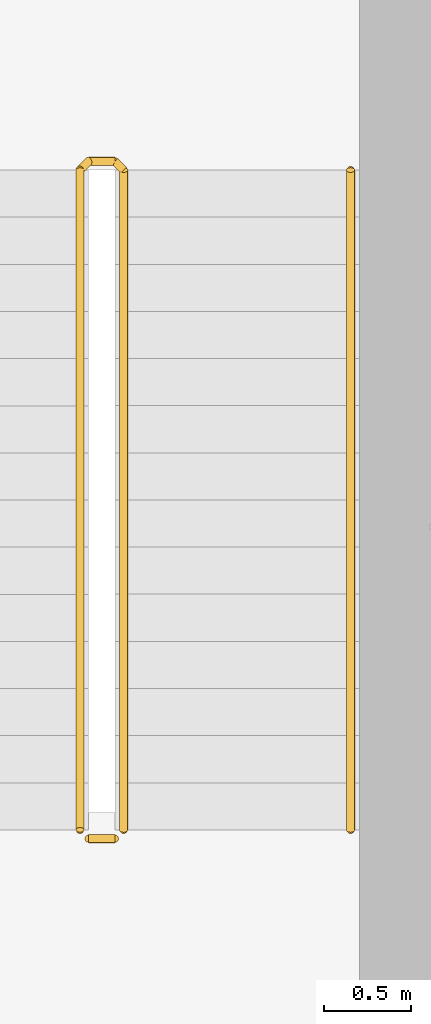
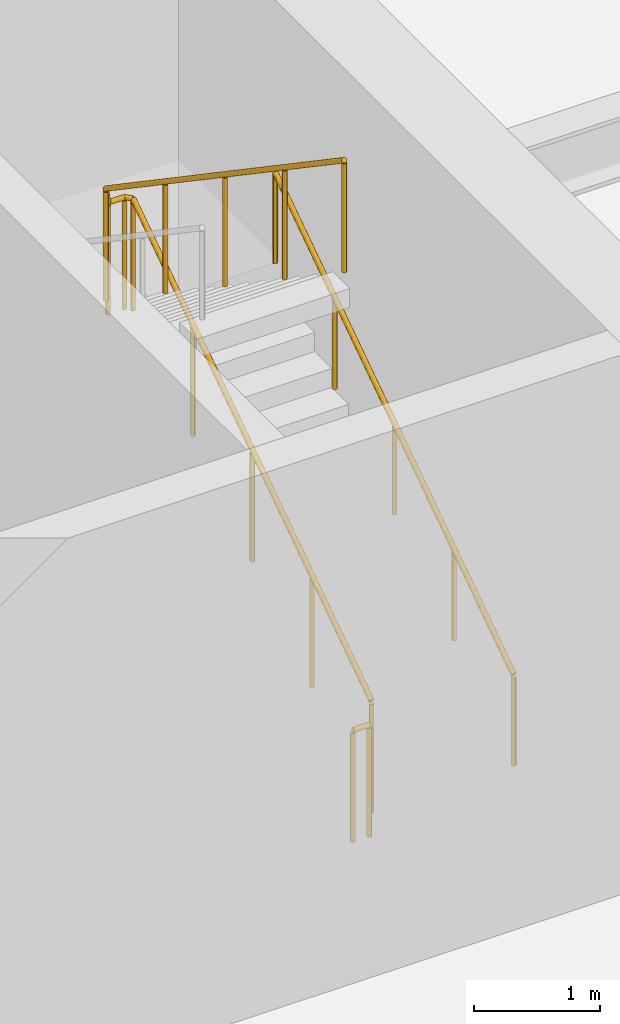
# One storey, part 17 of 20: 3 railings.
"""IFC4 building model written with IfcOpenShell, lengths in metres."""

from ifc_helpers import new_model, si_unit, direction, frame, origin, origin_2d, place, context, subcontext, project, spatial, circle, extrude, material, type_object, element, save


model = new_model("IFC4")

# Units and contexts
model_context = context("Model", 3, precision=1e-05, world=origin(), true_north=direction((0.0, 1.0)))
body_context = subcontext(model_context, "Body", "Model", "MODEL_VIEW")
ifc_project = project(units=[si_unit("LENGTHUNIT", "METRE"), si_unit("AREAUNIT", "SQUARE_METRE"), si_unit("VOLUMEUNIT", "CUBIC_METRE"), si_unit("PLANEANGLEUNIT", "RADIAN"), si_unit("MASSUNIT", "GRAM", prefix="KILO")], contexts=[model_context])

# Site, building, storey
site_placement = place(None, origin())
site = spatial("IfcSite", under=ifc_project, at=site_placement, CompositionType="ELEMENT")
building_placement = place(site_placement, origin())
building = spatial("IfcBuilding", under=site, at=building_placement, Name="Saffron Iwan Residences", CompositionType="ELEMENT")
storey_placement = place(building_placement, frame((0.0, 0.0, 206.0)))
storey = spatial("IfcBuildingStorey", under=building, at=storey_placement, Name="L55", CompositionType="ELEMENT", Elevation=206.0)

# Railings
ifc_material_1 = material(Name="Steel S355", Category="steel")
railing_type_1 = type_object("IfcRailingType", Name="Stair guard 1100", PredefinedType="GUARDRAIL", material=ifc_material_1)
railing_1_placement = place(storey_placement, frame((69.75, 67.85009765625, 0.183349609375)))
element("IfcRailing", 1, at=railing_1_placement, inside=storey, type_object=railing_type_1, Name="L55 ST-E stair guard 1", PredefinedType="GUARDRAIL", context=body_context, shape_type="SweptSolid", body=[
    extrude(circle(Radius=0.02392578125, at=origin_2d()), frame((0.0, 0.0, 1.076171875), z_axis=(0.0, 0.827293068839, 0.56177057439), x_axis=(-1.0, 0.0, 0.0)), (0.0, 0.0, 1.0), 4.56884765625),
    extrude(circle(Radius=0.02392578125, at=origin_2d()), frame((0.0, 3.77978515625, 3.642578125), z_axis=(-0.707106781187, 0.707106781187, 0.0), x_axis=(-0.707106781187, -0.707106781187, 0.0)), (0.0, 0.0, 1.0), 0.07080078125),
    extrude(circle(Radius=0.02392578125, at=origin_2d()), frame((-0.050048828125, 3.829833984375, 3.642578125), z_axis=(-1.0, 0.0, 0.0), x_axis=(0.0, -1.0, 0.0)), (0.0, 0.0, 1.0), 0.14990234375),
    extrude(circle(Radius=0.02392578125, at=origin_2d()), frame((-0.199951171875, 3.829833984375, 3.642578125), z_axis=(-0.254653276557, -0.254653276557, 0.932900539971), x_axis=(0.707106781187, -0.707106781187, 0.0)), (0.0, 0.0, 1.0), 0.196533203125),
    extrude(circle(Radius=0.02392578125, at=origin_2d()), frame((-0.25, 3.77978515625, 3.826171875), z_axis=(0.0, -0.827293068839, 0.56177057439), x_axis=(1.0, 0.0, 0.0)), (0.0, 0.0, 1.0), 4.56884765625),
    extrude(circle(Radius=0.02099609375, at=origin_2d()), origin(), (0.0, 0.0, 1.0), 1.052001953125),
    extrude(circle(Radius=0.02099609375, at=origin_2d()), frame((0.0, 0.94482421875, 0.6416015625)), (0.0, 0.0, 1.0), 1.052001953125),
    extrude(circle(Radius=0.02099609375, at=origin_2d()), frame((0.0, 1.889892578125, 1.283203125)), (0.0, 0.0, 1.0), 1.052001953125),
    extrude(circle(Radius=0.02099609375, at=origin_2d()), frame((0.0, 2.8349609375, 1.925048828125)), (0.0, 0.0, 1.0), 1.052001953125),
    extrude(circle(Radius=0.02099609375, at=origin_2d()), frame((0.0, 3.77978515625, 2.566650390625)), (0.0, 0.0, 1.0), 1.052001953125),
    extrude(circle(Radius=0.02099609375, at=origin_2d()), frame((-0.050048828125, 3.829833984375, 2.566650390625)), (0.0, 0.0, 1.0), 1.052001953125),
    extrude(circle(Radius=0.02099609375, at=origin_2d()), frame((-0.199951171875, 3.829833984375, 2.566650390625)), (0.0, 0.0, 1.0), 1.052001953125),
    extrude(circle(Radius=0.02099609375, at=origin_2d()), frame((-0.25, 3.77978515625, 2.75)), (0.0, 0.0, 1.0), 1.052001953125),
    extrude(circle(Radius=0.02099609375, at=origin_2d()), frame((-0.25, 2.8349609375, 3.3916015625)), (0.0, 0.0, 1.0), 1.052001953125),
    extrude(circle(Radius=0.02099609375, at=origin_2d()), frame((-0.25, 1.889892578125, 4.033203125)), (0.0, 0.0, 1.0), 1.052001953125),
    extrude(circle(Radius=0.02099609375, at=origin_2d()), frame((-0.25, 0.94482421875, 4.675048828125)), (0.0, 0.0, 1.0), 1.052001953125),
    extrude(circle(Radius=0.02099609375, at=origin_2d()), frame((-0.25, 0.0, 5.316650390625)), (0.0, 0.0, 1.0), 1.052001953125),
])
railing_2_placement = place(storey_placement, frame((69.699951171875, 67.800048828125, 0.0)))
element("IfcRailing", 2, at=railing_2_placement, inside=storey, type_object=railing_type_1, Name="L55 ST-E stair guard 2", PredefinedType="GUARDRAIL", context=body_context, shape_type="SweptSolid", body=[
    extrude(circle(Radius=0.02392578125, at=origin_2d()), frame((0.0, 0.0, 1.076171875), z_axis=(-1.0, 0.0, 0.0), x_axis=(0.0, -1.0, 0.0)), (0.0, 0.0, 1.0), 0.14990234375),
    extrude(circle(Radius=0.02099609375, at=origin_2d()), origin(), (0.0, 0.0, 1.0), 1.052001953125),
    extrude(circle(Radius=0.02099609375, at=origin_2d()), frame((-0.14990234375, 0.0, 0.0)), (0.0, 0.0, 1.0), 1.052001953125),
])
ifc_material_2 = material(Name="Stainless steel 316", Category="steel")
railing_type_2 = type_object("IfcRailingType", Name="Stair handrail 900", PredefinedType="HANDRAIL", material=ifc_material_2)
railing_3_placement = place(storey_placement, frame((71.050048828125, 67.85009765625, 0.183349609375)))
element("IfcRailing", 3, at=railing_3_placement, inside=storey, type_object=railing_type_2, Name="L55 ST-E stair handrail 1", PredefinedType="HANDRAIL", context=body_context, shape_type="SweptSolid", body=[
    extrude(circle(Radius=0.02392578125, at=origin_2d()), frame((0.0, 0.0, 0.8759765625), z_axis=(0.0, 0.827293068839, 0.56177057439), x_axis=(-1.0, 0.0, 0.0)), (0.0, 0.0, 1.0), 4.56884765625),
    extrude(circle(Radius=0.02099609375, at=origin_2d()), origin(), (0.0, 0.0, 1.0), 0.851806640625),
    extrude(circle(Radius=0.02099609375, at=origin_2d()), frame((0.0, 0.94482421875, 0.6416015625)), (0.0, 0.0, 1.0), 0.851806640625),
    extrude(circle(Radius=0.02099609375, at=origin_2d()), frame((0.0, 1.889892578125, 1.283203125)), (0.0, 0.0, 1.0), 0.851806640625),
    extrude(circle(Radius=0.02099609375, at=origin_2d()), frame((0.0, 2.8349609375, 1.925048828125)), (0.0, 0.0, 1.0), 0.851806640625),
    extrude(circle(Radius=0.02099609375, at=origin_2d()), frame((0.0, 3.77978515625, 2.566650390625)), (0.0, 0.0, 1.0), 0.851806640625),
])

save(model, "model.ifc")
